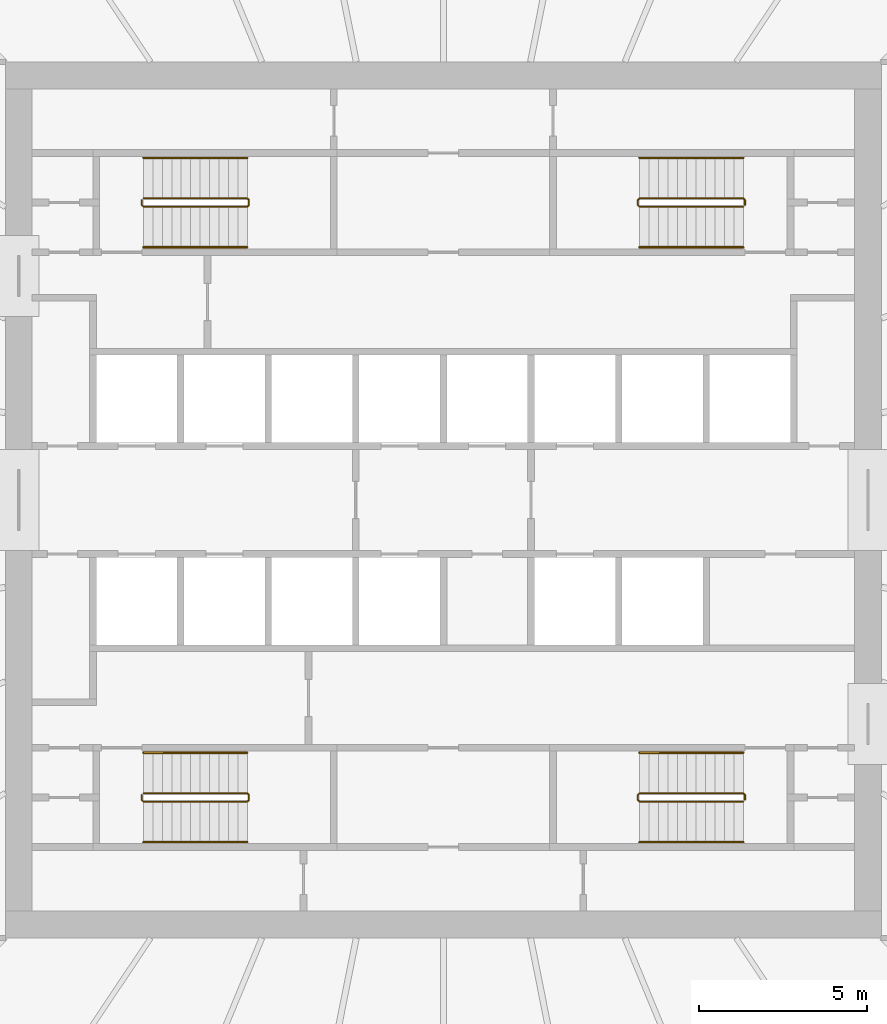
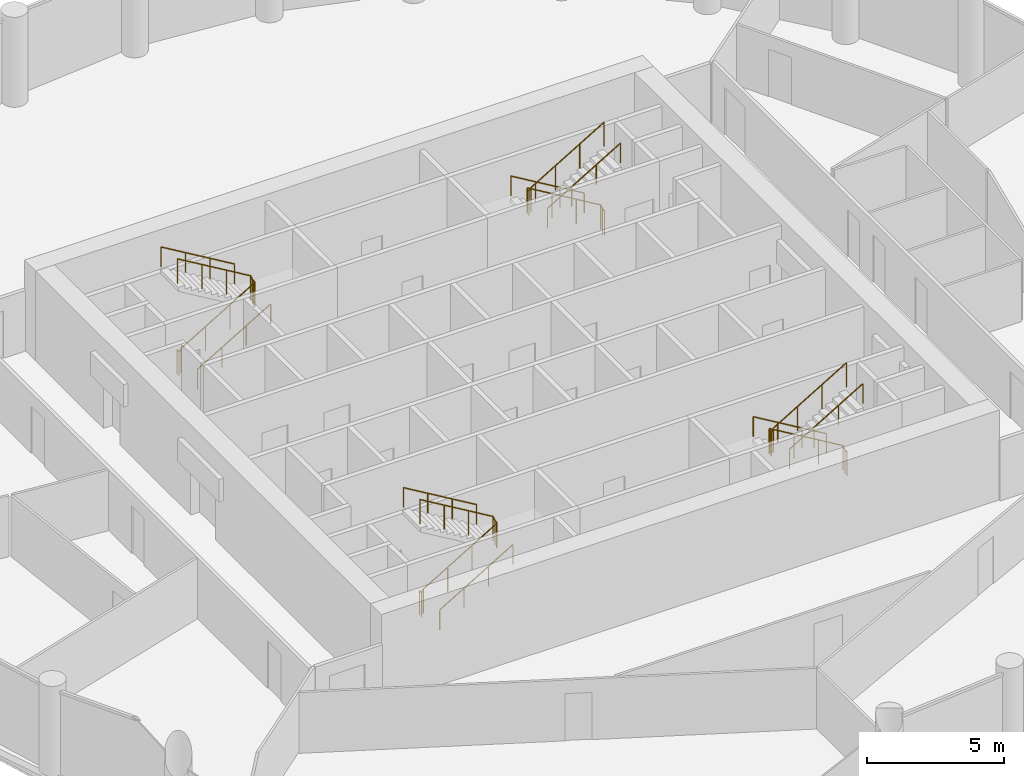
# One storey, part 8 of 8: 12 railings.
"""IFC4 building model written with IfcOpenShell, lengths in metres."""

from ifc_helpers import new_model, si_unit, direction, frame, origin, origin_2d, place, context, subcontext, project, spatial, circle, extrude, material, type_object, element, save


model = new_model("IFC4")

# Units and contexts
model_context = context("Model", 3, precision=1e-05, world=origin(), true_north=direction((0.0, 1.0)))
body_context = subcontext(model_context, "Body", "Model", "MODEL_VIEW")
ifc_project = project(units=[si_unit("LENGTHUNIT", "METRE"), si_unit("AREAUNIT", "SQUARE_METRE"), si_unit("VOLUMEUNIT", "CUBIC_METRE"), si_unit("PLANEANGLEUNIT", "RADIAN"), si_unit("MASSUNIT", "GRAM", prefix="KILO")], contexts=[model_context])

# Site, building, storey
site_placement = place(None, origin())
site = spatial("IfcSite", under=ifc_project, at=site_placement, CompositionType="ELEMENT")
building_placement = place(site_placement, origin())
building = spatial("IfcBuilding", under=site, at=building_placement, Name="Corvane Civic Tower", CompositionType="ELEMENT")
storey_placement = place(building_placement, frame((0.0, 0.0, 213.5)))
storey = spatial("IfcBuildingStorey", under=building, at=storey_placement, Name="L50", CompositionType="ELEMENT", Elevation=213.5)

# Railings
ifc_material_1 = material(Name="Steel ASTM A572 Gr 50", Category="steel")
railing_type_1 = type_object("IfcRailingType", Name="ST-GUARD-1100", PredefinedType="GUARDRAIL", material=ifc_material_1)
railing_1_placement = place(storey_placement, frame((8.949951171875, 8.75, 0.0)))
element("IfcRailing", 1, at=railing_1_placement, inside=storey, type_object=railing_type_1, Name="L50 ST1 stair guard 1", PredefinedType="GUARDRAIL", context=body_context, shape_type="SweptSolid", body=[
    extrude(circle(Radius=0.02392578125, at=origin_2d()), frame((0.0, 0.0, 1.076171875), z_axis=(0.0, 1.0, 0.0), x_axis=(-1.0, 0.0, 0.0)), (0.0, 0.0, 1.0), 0.14990234375),
    extrude(circle(Radius=0.02392578125, at=origin_2d()), frame((0.0, 0.14990234375, 1.076171875), z_axis=(-0.27628659633, 0.27628659633, 0.920506074601), x_axis=(-0.707106781187, -0.707106781187, 0.0)), (0.0, 0.0, 1.0), 0.18115234375),
    extrude(circle(Radius=0.02392578125, at=origin_2d()), frame((-0.050048828125, 0.199951171875, 1.24267578125), z_axis=(-0.859290745958, 0.0, 0.51148745235), x_axis=(0.0, -1.0, 0.0)), (0.0, 0.0, 1.0), 3.584228515625),
    extrude(circle(Radius=0.02392578125, at=origin_2d()), frame((-3.1298828125, 0.199951171875, 3.076171875), z_axis=(-0.707106781187, -0.707106781187, 0.0), x_axis=(0.707106781187, -0.707106781187, 0.0)), (0.0, 0.0, 1.0), 0.07080078125),
    extrude(circle(Radius=0.02392578125, at=origin_2d()), frame((-3.179931640625, 0.14990234375, 3.076171875), z_axis=(0.0, -1.0, 0.0), x_axis=(1.0, 0.0, 0.0)), (0.0, 0.0, 1.0), 0.14990234375),
    extrude(circle(Radius=0.02392578125, at=origin_2d()), frame((-3.179931640625, 0.0, 3.076171875), z_axis=(0.27628659633, -0.27628659633, 0.920506074601), x_axis=(0.707106781187, 0.707106781187, 0.0)), (0.0, 0.0, 1.0), 0.18115234375),
    extrude(circle(Radius=0.02392578125, at=origin_2d()), frame((-3.1298828125, -0.050048828125, 3.24267578125), z_axis=(0.859290745958, 0.0, 0.51148745235), x_axis=(0.0, 1.0, 0.0)), (0.0, 0.0, 1.0), 3.584228515625),
    extrude(circle(Radius=0.02099609375, at=origin_2d()), origin(), (0.0, 0.0, 1.0), 1.052001953125),
    extrude(circle(Radius=0.02099609375, at=origin_2d()), frame((0.0, 0.14990234375, 0.0)), (0.0, 0.0, 1.0), 1.052001953125),
    extrude(circle(Radius=0.02099609375, at=origin_2d()), frame((-0.050048828125, 0.199951171875, 0.166748046875)), (0.0, 0.0, 1.0), 1.052001953125),
    extrude(circle(Radius=0.02099609375, at=origin_2d()), frame((-1.07666015625, 0.199951171875, 0.77783203125)), (0.0, 0.0, 1.0), 1.052001953125),
    extrude(circle(Radius=0.02099609375, at=origin_2d()), frame((-2.103271484375, 0.199951171875, 1.388916015625)), (0.0, 0.0, 1.0), 1.052001953125),
    extrude(circle(Radius=0.02099609375, at=origin_2d()), frame((-3.1298828125, 0.199951171875, 2.0)), (0.0, 0.0, 1.0), 1.052001953125),
    extrude(circle(Radius=0.02099609375, at=origin_2d()), frame((-3.179931640625, 0.14990234375, 2.0)), (0.0, 0.0, 1.0), 1.052001953125),
    extrude(circle(Radius=0.02099609375, at=origin_2d()), frame((-3.179931640625, 0.0, 2.0)), (0.0, 0.0, 1.0), 1.052001953125),
    extrude(circle(Radius=0.02099609375, at=origin_2d()), frame((-3.1298828125, -0.050048828125, 2.166748046875)), (0.0, 0.0, 1.0), 1.052001953125),
    extrude(circle(Radius=0.02099609375, at=origin_2d()), frame((-2.103271484375, -0.050048828125, 2.77783203125)), (0.0, 0.0, 1.0), 1.052001953125),
    extrude(circle(Radius=0.02099609375, at=origin_2d()), frame((-1.07666015625, -0.050048828125, 3.388916015625)), (0.0, 0.0, 1.0), 1.052001953125),
    extrude(circle(Radius=0.02099609375, at=origin_2d()), frame((-0.050048828125, -0.050048828125, 4.0)), (0.0, 0.0, 1.0), 1.052001953125),
])
railing_2_placement = place(storey_placement, frame((8.949951171875, -8.89990234375, 0.0)))
element("IfcRailing", 2, at=railing_2_placement, inside=storey, type_object=railing_type_1, Name="L50 ST2 stair guard 1", PredefinedType="GUARDRAIL", context=body_context, shape_type="SweptSolid", body=[
    extrude(circle(Radius=0.02392578125, at=origin_2d()), frame((0.0, 0.0, 1.076171875), z_axis=(0.0, 1.0, 0.0), x_axis=(-1.0, 0.0, 0.0)), (0.0, 0.0, 1.0), 0.14990234375),
    extrude(circle(Radius=0.02392578125, at=origin_2d()), frame((0.0, 0.14990234375, 1.076171875), z_axis=(-0.27628659633, 0.27628659633, 0.920506074601), x_axis=(-0.707106781187, -0.707106781187, 0.0)), (0.0, 0.0, 1.0), 0.18115234375),
    extrude(circle(Radius=0.02392578125, at=origin_2d()), frame((-0.050048828125, 0.199951171875, 1.24267578125), z_axis=(-0.859290745958, 0.0, 0.51148745235), x_axis=(0.0, -1.0, 0.0)), (0.0, 0.0, 1.0), 3.584228515625),
    extrude(circle(Radius=0.02392578125, at=origin_2d()), frame((-3.1298828125, 0.199951171875, 3.076171875), z_axis=(-0.707106781187, -0.707106781187, 0.0), x_axis=(0.707106781187, -0.707106781187, 0.0)), (0.0, 0.0, 1.0), 0.07080078125),
    extrude(circle(Radius=0.02392578125, at=origin_2d()), frame((-3.179931640625, 0.14990234375, 3.076171875), z_axis=(0.0, -1.0, 0.0), x_axis=(1.0, 0.0, 0.0)), (0.0, 0.0, 1.0), 0.14990234375),
    extrude(circle(Radius=0.02392578125, at=origin_2d()), frame((-3.179931640625, 0.0, 3.076171875), z_axis=(0.27628659633, -0.27628659633, 0.920506074601), x_axis=(0.707106781187, 0.707106781187, 0.0)), (0.0, 0.0, 1.0), 0.18115234375),
    extrude(circle(Radius=0.02392578125, at=origin_2d()), frame((-3.1298828125, -0.050048828125, 3.24267578125), z_axis=(0.859290745958, 0.0, 0.51148745235), x_axis=(0.0, 1.0, 0.0)), (0.0, 0.0, 1.0), 3.584228515625),
    extrude(circle(Radius=0.02099609375, at=origin_2d()), origin(), (0.0, 0.0, 1.0), 1.052001953125),
    extrude(circle(Radius=0.02099609375, at=origin_2d()), frame((0.0, 0.14990234375, 0.0)), (0.0, 0.0, 1.0), 1.052001953125),
    extrude(circle(Radius=0.02099609375, at=origin_2d()), frame((-0.050048828125, 0.199951171875, 0.166748046875)), (0.0, 0.0, 1.0), 1.052001953125),
    extrude(circle(Radius=0.02099609375, at=origin_2d()), frame((-1.07666015625, 0.199951171875, 0.77783203125)), (0.0, 0.0, 1.0), 1.052001953125),
    extrude(circle(Radius=0.02099609375, at=origin_2d()), frame((-2.103271484375, 0.199951171875, 1.388916015625)), (0.0, 0.0, 1.0), 1.052001953125),
    extrude(circle(Radius=0.02099609375, at=origin_2d()), frame((-3.1298828125, 0.199951171875, 2.0)), (0.0, 0.0, 1.0), 1.052001953125),
    extrude(circle(Radius=0.02099609375, at=origin_2d()), frame((-3.179931640625, 0.14990234375, 2.0)), (0.0, 0.0, 1.0), 1.052001953125),
    extrude(circle(Radius=0.02099609375, at=origin_2d()), frame((-3.179931640625, 0.0, 2.0)), (0.0, 0.0, 1.0), 1.052001953125),
    extrude(circle(Radius=0.02099609375, at=origin_2d()), frame((-3.1298828125, -0.050048828125, 2.166748046875)), (0.0, 0.0, 1.0), 1.052001953125),
    extrude(circle(Radius=0.02099609375, at=origin_2d()), frame((-2.103271484375, -0.050048828125, 2.77783203125)), (0.0, 0.0, 1.0), 1.052001953125),
    extrude(circle(Radius=0.02099609375, at=origin_2d()), frame((-1.07666015625, -0.050048828125, 3.388916015625)), (0.0, 0.0, 1.0), 1.052001953125),
    extrude(circle(Radius=0.02099609375, at=origin_2d()), frame((-0.050048828125, -0.050048828125, 4.0)), (0.0, 0.0, 1.0), 1.052001953125),
])
railing_3_placement = place(storey_placement, frame((-8.949951171875, -8.75, 0.0)))
element("IfcRailing", 3, at=railing_3_placement, inside=storey, type_object=railing_type_1, Name="L50 ST3 stair guard 1", PredefinedType="GUARDRAIL", context=body_context, shape_type="SweptSolid", body=[
    extrude(circle(Radius=0.02392578125, at=origin_2d()), frame((0.0, 0.0, 1.076171875), z_axis=(0.0, -1.0, 0.0), x_axis=(1.0, 0.0, 0.0)), (0.0, 0.0, 1.0), 0.14990234375),
    extrude(circle(Radius=0.02392578125, at=origin_2d()), frame((0.0, -0.14990234375, 1.076171875), z_axis=(0.27628659633, -0.27628659633, 0.920506074601), x_axis=(0.707106781187, 0.707106781187, 0.0)), (0.0, 0.0, 1.0), 0.18115234375),
    extrude(circle(Radius=0.02392578125, at=origin_2d()), frame((0.050048828125, -0.199951171875, 1.24267578125), z_axis=(0.859290745958, 0.0, 0.51148745235), x_axis=(0.0, 1.0, 0.0)), (0.0, 0.0, 1.0), 3.584228515625),
    extrude(circle(Radius=0.02392578125, at=origin_2d()), frame((3.1298828125, -0.199951171875, 3.076171875), z_axis=(0.707106781187, 0.707106781187, 0.0), x_axis=(-0.707106781187, 0.707106781187, 0.0)), (0.0, 0.0, 1.0), 0.07080078125),
    extrude(circle(Radius=0.02392578125, at=origin_2d()), frame((3.179931640625, -0.14990234375, 3.076171875), z_axis=(0.0, 1.0, 0.0), x_axis=(-1.0, 0.0, 0.0)), (0.0, 0.0, 1.0), 0.14990234375),
    extrude(circle(Radius=0.02392578125, at=origin_2d()), frame((3.179931640625, 0.0, 3.076171875), z_axis=(-0.27628659633, 0.27628659633, 0.920506074601), x_axis=(-0.707106781187, -0.707106781187, 0.0)), (0.0, 0.0, 1.0), 0.18115234375),
    extrude(circle(Radius=0.02392578125, at=origin_2d()), frame((3.1298828125, 0.050048828125, 3.24267578125), z_axis=(-0.859290745958, 0.0, 0.51148745235), x_axis=(0.0, -1.0, 0.0)), (0.0, 0.0, 1.0), 3.584228515625),
    extrude(circle(Radius=0.02099609375, at=origin_2d()), origin(), (0.0, 0.0, 1.0), 1.052001953125),
    extrude(circle(Radius=0.02099609375, at=origin_2d()), frame((0.0, -0.14990234375, 0.0)), (0.0, 0.0, 1.0), 1.052001953125),
    extrude(circle(Radius=0.02099609375, at=origin_2d()), frame((0.050048828125, -0.199951171875, 0.166748046875)), (0.0, 0.0, 1.0), 1.052001953125),
    extrude(circle(Radius=0.02099609375, at=origin_2d()), frame((1.07666015625, -0.199951171875, 0.77783203125)), (0.0, 0.0, 1.0), 1.052001953125),
    extrude(circle(Radius=0.02099609375, at=origin_2d()), frame((2.103271484375, -0.199951171875, 1.388916015625)), (0.0, 0.0, 1.0), 1.052001953125),
    extrude(circle(Radius=0.02099609375, at=origin_2d()), frame((3.1298828125, -0.199951171875, 2.0)), (0.0, 0.0, 1.0), 1.052001953125),
    extrude(circle(Radius=0.02099609375, at=origin_2d()), frame((3.179931640625, -0.14990234375, 2.0)), (0.0, 0.0, 1.0), 1.052001953125),
    extrude(circle(Radius=0.02099609375, at=origin_2d()), frame((3.179931640625, 0.0, 2.0)), (0.0, 0.0, 1.0), 1.052001953125),
    extrude(circle(Radius=0.02099609375, at=origin_2d()), frame((3.1298828125, 0.050048828125, 2.166748046875)), (0.0, 0.0, 1.0), 1.052001953125),
    extrude(circle(Radius=0.02099609375, at=origin_2d()), frame((2.103271484375, 0.050048828125, 2.77783203125)), (0.0, 0.0, 1.0), 1.052001953125),
    extrude(circle(Radius=0.02099609375, at=origin_2d()), frame((1.07666015625, 0.050048828125, 3.388916015625)), (0.0, 0.0, 1.0), 1.052001953125),
    extrude(circle(Radius=0.02099609375, at=origin_2d()), frame((0.050048828125, 0.050048828125, 4.0)), (0.0, 0.0, 1.0), 1.052001953125),
])
railing_4_placement = place(storey_placement, frame((-8.949951171875, 8.89990234375, 0.0)))
element("IfcRailing", 4, at=railing_4_placement, inside=storey, type_object=railing_type_1, Name="L50 ST4 stair guard 1", PredefinedType="GUARDRAIL", context=body_context, shape_type="SweptSolid", body=[
    extrude(circle(Radius=0.02392578125, at=origin_2d()), frame((0.0, 0.0, 1.076171875), z_axis=(0.0, -1.0, 0.0), x_axis=(1.0, 0.0, 0.0)), (0.0, 0.0, 1.0), 0.14990234375),
    extrude(circle(Radius=0.02392578125, at=origin_2d()), frame((0.0, -0.14990234375, 1.076171875), z_axis=(0.27628659633, -0.27628659633, 0.920506074601), x_axis=(0.707106781187, 0.707106781187, 0.0)), (0.0, 0.0, 1.0), 0.18115234375),
    extrude(circle(Radius=0.02392578125, at=origin_2d()), frame((0.050048828125, -0.199951171875, 1.24267578125), z_axis=(0.859290745958, 0.0, 0.51148745235), x_axis=(0.0, 1.0, 0.0)), (0.0, 0.0, 1.0), 3.584228515625),
    extrude(circle(Radius=0.02392578125, at=origin_2d()), frame((3.1298828125, -0.199951171875, 3.076171875), z_axis=(0.707106781187, 0.707106781187, 0.0), x_axis=(-0.707106781187, 0.707106781187, 0.0)), (0.0, 0.0, 1.0), 0.07080078125),
    extrude(circle(Radius=0.02392578125, at=origin_2d()), frame((3.179931640625, -0.14990234375, 3.076171875), z_axis=(0.0, 1.0, 0.0), x_axis=(-1.0, 0.0, 0.0)), (0.0, 0.0, 1.0), 0.14990234375),
    extrude(circle(Radius=0.02392578125, at=origin_2d()), frame((3.179931640625, 0.0, 3.076171875), z_axis=(-0.27628659633, 0.27628659633, 0.920506074601), x_axis=(-0.707106781187, -0.707106781187, 0.0)), (0.0, 0.0, 1.0), 0.18115234375),
    extrude(circle(Radius=0.02392578125, at=origin_2d()), frame((3.1298828125, 0.050048828125, 3.24267578125), z_axis=(-0.859290745958, 0.0, 0.51148745235), x_axis=(0.0, -1.0, 0.0)), (0.0, 0.0, 1.0), 3.584228515625),
    extrude(circle(Radius=0.02099609375, at=origin_2d()), origin(), (0.0, 0.0, 1.0), 1.052001953125),
    extrude(circle(Radius=0.02099609375, at=origin_2d()), frame((0.0, -0.14990234375, 0.0)), (0.0, 0.0, 1.0), 1.052001953125),
    extrude(circle(Radius=0.02099609375, at=origin_2d()), frame((0.050048828125, -0.199951171875, 0.166748046875)), (0.0, 0.0, 1.0), 1.052001953125),
    extrude(circle(Radius=0.02099609375, at=origin_2d()), frame((1.07666015625, -0.199951171875, 0.77783203125)), (0.0, 0.0, 1.0), 1.052001953125),
    extrude(circle(Radius=0.02099609375, at=origin_2d()), frame((2.103271484375, -0.199951171875, 1.388916015625)), (0.0, 0.0, 1.0), 1.052001953125),
    extrude(circle(Radius=0.02099609375, at=origin_2d()), frame((3.1298828125, -0.199951171875, 2.0)), (0.0, 0.0, 1.0), 1.052001953125),
    extrude(circle(Radius=0.02099609375, at=origin_2d()), frame((3.179931640625, -0.14990234375, 2.0)), (0.0, 0.0, 1.0), 1.052001953125),
    extrude(circle(Radius=0.02099609375, at=origin_2d()), frame((3.179931640625, 0.0, 2.0)), (0.0, 0.0, 1.0), 1.052001953125),
    extrude(circle(Radius=0.02099609375, at=origin_2d()), frame((3.1298828125, 0.050048828125, 2.166748046875)), (0.0, 0.0, 1.0), 1.052001953125),
    extrude(circle(Radius=0.02099609375, at=origin_2d()), frame((2.103271484375, 0.050048828125, 2.77783203125)), (0.0, 0.0, 1.0), 1.052001953125),
    extrude(circle(Radius=0.02099609375, at=origin_2d()), frame((1.07666015625, 0.050048828125, 3.388916015625)), (0.0, 0.0, 1.0), 1.052001953125),
    extrude(circle(Radius=0.02099609375, at=origin_2d()), frame((0.050048828125, 0.050048828125, 4.0)), (0.0, 0.0, 1.0), 1.052001953125),
])
ifc_material_2 = material(Name="Steel ASTM A572 Gr 50", Category="steel")
railing_type_2 = type_object("IfcRailingType", Name="ST-HANDRAIL-900", PredefinedType="HANDRAIL", material=ifc_material_2)
railing_5_placement = place(storey_placement, frame((8.89990234375, 10.14990234375, 0.166748046875)))
element("IfcRailing", 5, at=railing_5_placement, inside=storey, type_object=railing_type_2, Name="L50 ST1 stair handrail 1", PredefinedType="HANDRAIL", context=body_context, shape_type="SweptSolid", body=[
    extrude(circle(Radius=0.02392578125, at=origin_2d()), frame((0.0, 0.0, 0.8759765625), z_axis=(-0.859290745958, 0.0, 0.51148745235), x_axis=(0.0, -1.0, 0.0)), (0.0, 0.0, 1.0), 3.584228515625),
    extrude(circle(Radius=0.02099609375, at=origin_2d()), origin(), (0.0, 0.0, 1.0), 0.851806640625),
    extrude(circle(Radius=0.02099609375, at=origin_2d()), frame((-1.026611328125, 0.0, 0.611083984375)), (0.0, 0.0, 1.0), 0.851806640625),
    extrude(circle(Radius=0.02099609375, at=origin_2d()), frame((-2.05322265625, 0.0, 1.22216796875)), (0.0, 0.0, 1.0), 0.851806640625),
    extrude(circle(Radius=0.02099609375, at=origin_2d()), frame((-3.079833984375, 0.0, 1.833251953125)), (0.0, 0.0, 1.0), 0.851806640625),
])
railing_6_placement = place(storey_placement, frame((5.820068359375, 7.5, 2.166748046875)))
element("IfcRailing", 6, at=railing_6_placement, inside=storey, type_object=railing_type_2, Name="L50 ST1 stair handrail 2", PredefinedType="HANDRAIL", context=body_context, shape_type="SweptSolid", body=[
    extrude(circle(Radius=0.02392578125, at=origin_2d()), frame((0.0, 0.0, 0.8759765625), z_axis=(0.859290745958, 0.0, 0.51148745235), x_axis=(0.0, 1.0, 0.0)), (0.0, 0.0, 1.0), 3.584228515625),
    extrude(circle(Radius=0.02099609375, at=origin_2d()), origin(), (0.0, 0.0, 1.0), 0.851806640625),
    extrude(circle(Radius=0.02099609375, at=origin_2d()), frame((1.026611328125, 0.0, 0.611083984375)), (0.0, 0.0, 1.0), 0.851806640625),
    extrude(circle(Radius=0.02099609375, at=origin_2d()), frame((2.05322265625, 0.0, 1.22216796875)), (0.0, 0.0, 1.0), 0.851806640625),
    extrude(circle(Radius=0.02099609375, at=origin_2d()), frame((3.079833984375, 0.0, 1.833251953125)), (0.0, 0.0, 1.0), 0.851806640625),
])
railing_7_placement = place(storey_placement, frame((8.89990234375, -7.5, 0.166748046875)))
element("IfcRailing", 7, at=railing_7_placement, inside=storey, type_object=railing_type_2, Name="L50 ST2 stair handrail 1", PredefinedType="HANDRAIL", context=body_context, shape_type="SweptSolid", body=[
    extrude(circle(Radius=0.02392578125, at=origin_2d()), frame((0.0, 0.0, 0.8759765625), z_axis=(-0.859290745958, 0.0, 0.51148745235), x_axis=(0.0, -1.0, 0.0)), (0.0, 0.0, 1.0), 3.584228515625),
    extrude(circle(Radius=0.02099609375, at=origin_2d()), origin(), (0.0, 0.0, 1.0), 0.851806640625),
    extrude(circle(Radius=0.02099609375, at=origin_2d()), frame((-1.026611328125, 0.0, 0.611083984375)), (0.0, 0.0, 1.0), 0.851806640625),
    extrude(circle(Radius=0.02099609375, at=origin_2d()), frame((-2.05322265625, 0.0, 1.22216796875)), (0.0, 0.0, 1.0), 0.851806640625),
    extrude(circle(Radius=0.02099609375, at=origin_2d()), frame((-3.079833984375, 0.0, 1.833251953125)), (0.0, 0.0, 1.0), 0.851806640625),
])
for number, where, name in (
    (8, (5.820068359375, -10.14990234375, 2.166748046875), "L50 ST2 stair handrail 2"),
    (9, (-8.89990234375, -10.14990234375, 0.166748046875), "L50 ST3 stair handrail 1"),
):
    element("IfcRailing", number, at=place(storey_placement, frame(where)), inside=storey, type_object=railing_type_2, Name=name, PredefinedType="HANDRAIL", context=body_context, shape_type="SweptSolid", body=[
        extrude(circle(Radius=0.02392578125, at=origin_2d()), frame((0.0, 0.0, 0.8759765625), z_axis=(0.859290745958, 0.0, 0.51148745235), x_axis=(0.0, 1.0, 0.0)), (0.0, 0.0, 1.0), 3.584228515625),
        extrude(circle(Radius=0.02099609375, at=origin_2d()), origin(), (0.0, 0.0, 1.0), 0.851806640625),
        extrude(circle(Radius=0.02099609375, at=origin_2d()), frame((1.026611328125, 0.0, 0.611083984375)), (0.0, 0.0, 1.0), 0.851806640625),
        extrude(circle(Radius=0.02099609375, at=origin_2d()), frame((2.05322265625, 0.0, 1.22216796875)), (0.0, 0.0, 1.0), 0.851806640625),
        extrude(circle(Radius=0.02099609375, at=origin_2d()), frame((3.079833984375, 0.0, 1.833251953125)), (0.0, 0.0, 1.0), 0.851806640625),
    ])
railing_8_placement = place(storey_placement, frame((-5.820068359375, -7.5, 2.166748046875)))
element("IfcRailing", 10, at=railing_8_placement, inside=storey, type_object=railing_type_2, Name="L50 ST3 stair handrail 2", PredefinedType="HANDRAIL", context=body_context, shape_type="SweptSolid", body=[
    extrude(circle(Radius=0.02392578125, at=origin_2d()), frame((0.0, 0.0, 0.8759765625), z_axis=(-0.859290745958, 0.0, 0.51148745235), x_axis=(0.0, -1.0, 0.0)), (0.0, 0.0, 1.0), 3.584228515625),
    extrude(circle(Radius=0.02099609375, at=origin_2d()), origin(), (0.0, 0.0, 1.0), 0.851806640625),
    extrude(circle(Radius=0.02099609375, at=origin_2d()), frame((-1.026611328125, 0.0, 0.611083984375)), (0.0, 0.0, 1.0), 0.851806640625),
    extrude(circle(Radius=0.02099609375, at=origin_2d()), frame((-2.05322265625, 0.0, 1.22216796875)), (0.0, 0.0, 1.0), 0.851806640625),
    extrude(circle(Radius=0.02099609375, at=origin_2d()), frame((-3.079833984375, 0.0, 1.833251953125)), (0.0, 0.0, 1.0), 0.851806640625),
])
railing_9_placement = place(storey_placement, frame((-8.89990234375, 7.5, 0.166748046875)))
element("IfcRailing", 11, at=railing_9_placement, inside=storey, type_object=railing_type_2, Name="L50 ST4 stair handrail 1", PredefinedType="HANDRAIL", context=body_context, shape_type="SweptSolid", body=[
    extrude(circle(Radius=0.02392578125, at=origin_2d()), frame((0.0, 0.0, 0.8759765625), z_axis=(0.859290745958, 0.0, 0.51148745235), x_axis=(0.0, 1.0, 0.0)), (0.0, 0.0, 1.0), 3.584228515625),
    extrude(circle(Radius=0.02099609375, at=origin_2d()), origin(), (0.0, 0.0, 1.0), 0.851806640625),
    extrude(circle(Radius=0.02099609375, at=origin_2d()), frame((1.026611328125, 0.0, 0.611083984375)), (0.0, 0.0, 1.0), 0.851806640625),
    extrude(circle(Radius=0.02099609375, at=origin_2d()), frame((2.05322265625, 0.0, 1.22216796875)), (0.0, 0.0, 1.0), 0.851806640625),
    extrude(circle(Radius=0.02099609375, at=origin_2d()), frame((3.079833984375, 0.0, 1.833251953125)), (0.0, 0.0, 1.0), 0.851806640625),
])
railing_10_placement = place(storey_placement, frame((-5.820068359375, 10.14990234375, 2.166748046875)))
element("IfcRailing", 12, at=railing_10_placement, inside=storey, type_object=railing_type_2, Name="L50 ST4 stair handrail 2", PredefinedType="HANDRAIL", context=body_context, shape_type="SweptSolid", body=[
    extrude(circle(Radius=0.02392578125, at=origin_2d()), frame((0.0, 0.0, 0.8759765625), z_axis=(-0.859290745958, 0.0, 0.51148745235), x_axis=(0.0, -1.0, 0.0)), (0.0, 0.0, 1.0), 3.584228515625),
    extrude(circle(Radius=0.02099609375, at=origin_2d()), origin(), (0.0, 0.0, 1.0), 0.851806640625),
    extrude(circle(Radius=0.02099609375, at=origin_2d()), frame((-1.026611328125, 0.0, 0.611083984375)), (0.0, 0.0, 1.0), 0.851806640625),
    extrude(circle(Radius=0.02099609375, at=origin_2d()), frame((-2.05322265625, 0.0, 1.22216796875)), (0.0, 0.0, 1.0), 0.851806640625),
    extrude(circle(Radius=0.02099609375, at=origin_2d()), frame((-3.079833984375, 0.0, 1.833251953125)), (0.0, 0.0, 1.0), 0.851806640625),
])

save(model, "model.ifc")
